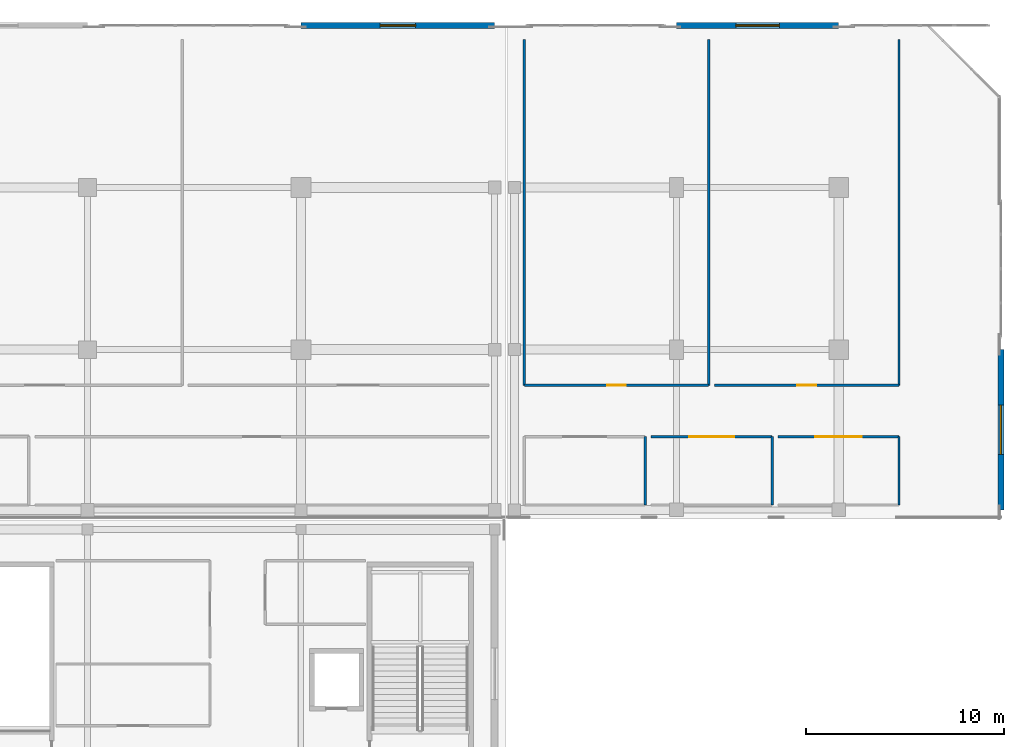
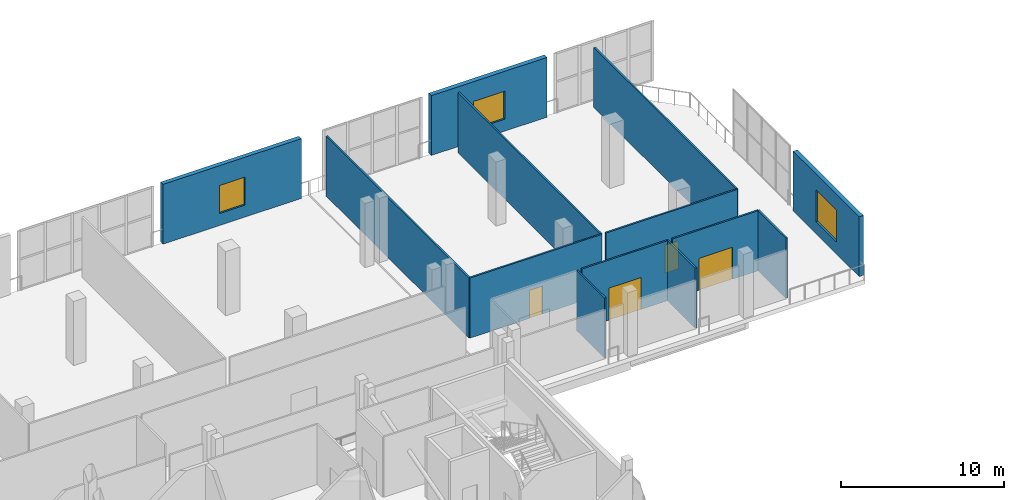
# One storey, part 88 of 129: 13 walls, 4 doors, 3 windows, 7 openings.
"""IFC4 building model written with IfcOpenShell, lengths in metres."""

import ifcopenshell
import ifcopenshell.guid

model = None  # the IFC model being written
_history = None  # IfcOwnerHistory: only IFC2X3 demands one
_inside = {}  # id of a spatial element -> (the spatial element, [elements in it])
_under = {}  # id of a project, library or spatial element -> (it, [spatial elements below it])
_declared = {}  # id of a project -> (the project, [libraries it declares])
_typed = {}  # id of a type object -> (the type object, [elements of that type])
_made_of = {}  # id of a material, layer set ... -> (it, [elements and type objects made of it])


def new_model(schema):
    """Start an empty IFC model of exactly this schema.

    Asked for "IFC4X3", IfcOpenShell would pick the latest addendum, in which some entities
    have other attributes; the version numbers below select the first issue.
    IFC2X3 requires an IfcOwnerHistory on every rooted entity: one is made here for all.
    """
    global model, _history
    if schema == "IFC4X3":
        model = ifcopenshell.file(schema_version=(4, 3, 0, 0))
    else:
        model = ifcopenshell.file(schema=schema)
    _inside.clear()
    _under.clear()
    _declared.clear()
    _typed.clear()
    _made_of.clear()
    _history = None
    if model.schema == "IFC2X3":
        org = make("IfcOrganization", Name="unknown")
        user = make(
            "IfcPersonAndOrganization",
            ThePerson=make("IfcPerson", FamilyName="unknown"),
            TheOrganization=org,
        )
        app = make(
            "IfcApplication",
            ApplicationDeveloper=org,
            Version="unknown",
            ApplicationFullName="unknown",
            ApplicationIdentifier="unknown",
        )
        _history = make(
            "IfcOwnerHistory",
            OwningUser=user,
            OwningApplication=app,
            ChangeAction="ADDED",
            CreationDate=0,
        )
    return model


def make(cls, **values):
    """One entity of the class cls with the attributes given. An attribute that is None is left unset."""
    return model.create_entity(
        cls, **{name: value for name, value in values.items() if value is not None}
    )


def rooted(cls, **values):
    """An entity with a GlobalId (a new one), such as an element, a storey or a relation."""
    return make(cls, GlobalId=ifcopenshell.guid.new(), OwnerHistory=_history, **values)


def si_unit(unit_type, name, prefix=None):
    """IfcSIUnit, for example si_unit("LENGTHUNIT", "METRE", prefix="MILLI")."""
    return make("IfcSIUnit", UnitType=unit_type, Prefix=prefix, Name=name)


def assignment(units):
    """IfcUnitAssignment: the units of a project."""
    return None if units is None else make("IfcUnitAssignment", Units=units)


def point(xyz):
    """IfcCartesianPoint."""
    return None if xyz is None else make("IfcCartesianPoint", Coordinates=xyz)


def direction(xyz):
    """IfcDirection."""
    return None if xyz is None else make("IfcDirection", DirectionRatios=xyz)


def frame(location, z_axis=None, x_axis=None):
    """IfcAxis2Placement3D, a coordinate frame: its origin and axes. An axis left out is left unset."""
    return make(
        "IfcAxis2Placement3D",
        Location=point(location),
        Axis=direction(z_axis),
        RefDirection=direction(x_axis),
    )


def frame_2d(location, x_axis=None):
    """IfcAxis2Placement2D, a coordinate frame in the plane: its origin and x axis."""
    return make(
        "IfcAxis2Placement2D", Location=point(location), RefDirection=direction(x_axis)
    )


def origin():
    """The frame at (0, 0, 0) with its axes left unset."""
    return frame((0.0, 0.0, 0.0))


def place(relative_to, where):
    """IfcLocalPlacement: puts the frame where relative to a parent placement (None: the world)."""
    return make(
        "IfcLocalPlacement", PlacementRelTo=relative_to, RelativePlacement=where
    )


def context(
    kind, dimensions, precision=None, world=None, true_north=None, identifier=None
):
    """IfcGeometricRepresentationContext, for example the 3D "Model" context."""
    return make(
        "IfcGeometricRepresentationContext",
        ContextIdentifier=identifier,
        ContextType=kind,
        CoordinateSpaceDimension=dimensions,
        Precision=precision,
        WorldCoordinateSystem=world,
        TrueNorth=true_north,
    )


def subcontext(parent, identifier, kind, view, scale=None):
    """IfcGeometricRepresentationSubContext, for example "Body" below "Model"."""
    return make(
        "IfcGeometricRepresentationSubContext",
        ContextIdentifier=identifier,
        ContextType=kind,
        ParentContext=parent,
        TargetScale=scale,
        TargetView=view,
    )


def project(units=None, contexts=None):
    """IfcProject with its units and contexts."""
    return rooted(
        "IfcProject",
        Name="project",
        RepresentationContexts=contexts,
        UnitsInContext=assignment(units),
    )


def spatial(cls, under=None, at=None, **own):
    """A site, building, storey or space (cls), placed at a placement, below another one or the project."""
    s = rooted(cls, ObjectPlacement=at, **own)
    if under is not None:
        _under.setdefault(under.id(), (under, []))[1].append(s)
    return s


def profile(cls, at=None, kind="AREA", **sizes):
    """A parametric profile (cls). Its sizes go by their IFC names, for example OverallWidth=200.0."""
    return make(cls, ProfileType=kind, Position=at, **sizes)


def rectangle(**sizes):
    """IfcRectangleProfileDef."""
    return profile("IfcRectangleProfileDef", **sizes)


def extrude(swept, where, along, depth):
    """IfcExtrudedAreaSolid: the profile swept, set in the frame where, extruded along a direction by depth."""
    return make(
        "IfcExtrudedAreaSolid",
        SweptArea=swept,
        Position=where,
        ExtrudedDirection=direction(along),
        Depth=depth,
    )


def shape(context_of_items, identifier, shape_type, items):
    """IfcShapeRepresentation: the items that make up one representation, for example the "Body"."""
    return make(
        "IfcShapeRepresentation",
        ContextOfItems=context_of_items,
        RepresentationIdentifier=identifier,
        RepresentationType=shape_type,
        Items=items,
    )


def material(Name=None, Category=None):
    """IfcMaterial."""
    return make("IfcMaterial", Name=Name, Category=Category)


def layer(
    of_material, thickness, ventilated=None, Name=None, Category=None, Priority=None
):
    """IfcMaterialLayer: one layer of a wall or slab, of a material (None: an air gap)."""
    return make(
        "IfcMaterialLayer",
        Material=of_material,
        LayerThickness=thickness,
        IsVentilated=ventilated,
        Name=Name,
        Category=Category,
        Priority=Priority,
    )


def layer_set(layers, Name=None):
    """IfcMaterialLayerSet."""
    return make("IfcMaterialLayerSet", MaterialLayers=layers, LayerSetName=Name)


def made_of(thing, what):
    """Note that an element or type object is made of a material, layer set ...; save() writes the relation."""
    if what is not None:
        _made_of.setdefault(what.id(), (what, []))[1].append(thing)
    return thing


def type_object(cls, material=None, **own):
    """A type object (cls), such as IfcWallType, which elements share."""
    return made_of(rooted(cls, **own), material)


def element(
    cls,
    number,
    at=None,
    inside=None,
    cuts=None,
    type_object=None,
    material=None,
    context=None,
    identifier="Body",
    shape_type=None,
    held_by="IfcProductDefinitionShape",
    body=None,
    shapes=None,
    **own,
):
    """One element of the class cls, such as IfcWall. Its Tag is "e" and its number.

    at: its placement. inside: the storey or other place that contains it. cuts: it is an
    opening in that element (IfcRelVoidsElement). A single representation is given by context,
    identifier, shape_type and body (its items); several are given by shapes. held_by: the class
    of the entity that holds the representations. save() writes the other relations.
    """
    e = rooted(cls, Tag="e%d" % number, ObjectPlacement=at, **own)
    if body is not None:
        shapes = [shape(context, identifier, shape_type, body)]
    if shapes is not None:
        e.Representation = make(held_by, Representations=shapes)
    if inside is not None:
        _inside.setdefault(inside.id(), (inside, []))[1].append(e)
    if cuts is not None:
        rooted(
            "IfcRelVoidsElement", RelatingBuildingElement=cuts, RelatedOpeningElement=e
        )
    if type_object is not None:
        _typed.setdefault(type_object.id(), (type_object, []))[1].append(e)
    return made_of(e, material)


def fill(opening, filler):
    """IfcRelFillsElement: the door or window that sits in an opening."""
    return rooted(
        "IfcRelFillsElement",
        RelatingOpeningElement=opening,
        RelatedBuildingElement=filler,
    )


def aggregate(whole, parts):
    """IfcRelAggregates: a whole, such as a stair, and the parts it consists of."""
    return rooted("IfcRelAggregates", RelatingObject=whole, RelatedObjects=parts)


def save(model, path):
    """Write the relations noted so far, then the file.

    IfcRelAggregates (storeys below a building ...), IfcRelContainedInSpatialStructure (elements
    in a storey), IfcRelDefinesByType, IfcRelAssociatesMaterial and IfcRelDeclares: one each for
    every whole, place, type object, material and project.
    """
    for whole, parts in _under.values():
        aggregate(whole, parts)
    for where, things in _inside.values():
        rooted(
            "IfcRelContainedInSpatialStructure",
            RelatedElements=things,
            RelatingStructure=where,
        )
    for kind, things in _typed.values():
        rooted("IfcRelDefinesByType", RelatedObjects=things, RelatingType=kind)
    for what, things in _made_of.values():
        rooted("IfcRelAssociatesMaterial", RelatedObjects=things, RelatingMaterial=what)
    for by, libraries in _declared.values():
        rooted("IfcRelDeclares", RelatingContext=by, RelatedDefinitions=libraries)
    model.write(path)


model = new_model("IFC4")

# Units and contexts
model_context = context("Model", 3, precision=1e-05, world=origin(), true_north=direction((0.0, 1.0)))
body_context = subcontext(model_context, "Body", "Model", "MODEL_VIEW")
ifc_project = project(units=[si_unit("LENGTHUNIT", "METRE"), si_unit("AREAUNIT", "SQUARE_METRE"), si_unit("VOLUMEUNIT", "CUBIC_METRE"), si_unit("PLANEANGLEUNIT", "RADIAN"), si_unit("MASSUNIT", "GRAM", prefix="KILO")], contexts=[model_context])

# Site, building, storey
site_placement = place(None, origin())
site = spatial("IfcSite", under=ifc_project, at=site_placement, CompositionType="ELEMENT")
building_placement = place(site_placement, origin())
building = spatial("IfcBuilding", under=site, at=building_placement, Name="Koshinbarg Plaza Stadium", CompositionType="ELEMENT")
storey_placement = place(building_placement, frame((0.0, 0.0, 5.39990234375)))
storey = spatial("IfcBuildingStorey", under=building, at=storey_placement, Name="L01", CompositionType="ELEMENT", Elevation=5.39990234375)

# Wall, opening, window
ifc_material_1 = material(Name="Off-white mineral plaster insulated wall", Category="masonry")
ifc_layer_1 = layer(ifc_material_1, 0.300048828125)
ifc_layer_set_1 = layer_set([ifc_layer_1], Name="Off-white mineral plaster insulated wall")
wall_type_1 = type_object("IfcWallType", Name="WL-EXT-300", PredefinedType="SOLIDWALL", material=ifc_layer_set_1)
wall_1_placement = place(storey_placement, frame((208.60009765625, 152.0, 0.0), z_axis=(0.0, 0.0, 1.0), x_axis=(1.0, 0.0, 0.0)))
wall_1 = element("IfcWall", 1, at=wall_1_placement, inside=storey, type_object=wall_type_1, Name="L01 exterior envelope wall EWL-L01-0089", PredefinedType="SOLIDWALL", context=body_context, shape_type="SweptSolid", body=[
    extrude(rectangle(XDim=9.7998046875, YDim=0.300048828125, at=frame_2d((4.89990234375, 0.0))), origin(), (0.0, 0.0, 1.0), 4.47998046875),
])
opening_1_placement = place(wall_1_placement, frame((4.0, 0.0, 0.89990234375)))
opening_1 = element("IfcOpeningElement", 2, at=opening_1_placement, cuts=wall_1, Name="Opening WN14", PredefinedType="OPENING", context=body_context, shape_type="SweptSolid", body=[
    extrude(rectangle(XDim=1.800048828125, YDim=2.10009765625, at=frame_2d((0.89990234375, 1.050048828125))), frame((0.0, 0.159912109375, 0.0), z_axis=(0.0, -1.0, 0.0), x_axis=(1.0, 0.0, 0.0)), (0.0, 0.0, 1.0), 0.320068359375),
])
ifc_material_2 = material(Name="Solar-control double glazing in thermally broken aluminium frame", Category="aluminium")
window_type_1 = type_object("IfcWindowType", Name="WN-FAC-14", PartitioningType="DOUBLE_PANEL_VERTICAL", PredefinedType="WINDOW", material=ifc_material_2)
window_1_placement = place(opening_1_placement, origin())
window_1 = element("IfcWindow", 3, at=window_1_placement, inside=storey, type_object=window_type_1, Name="L01 facade window 0030", OverallHeight=2.10009765625, OverallWidth=1.800048828125, PartitioningType="SINGLE_PANEL", PredefinedType="WINDOW", context=body_context, shape_type="SweptSolid", body=[
    extrude(rectangle(XDim=1.800048828125, YDim=2.10009765625, at=frame_2d((0.89990234375, 1.050048828125))), frame((0.0, 0.030029296875, 0.0), z_axis=(0.0, -1.0, 0.0), x_axis=(1.0, 0.0, 0.0)), (0.0, 0.0, 1.0), 0.06005859375),
])
fill(opening_1, window_1)

wall_2_placement = place(storey_placement, frame((244.0, 135.60009765625, 0.0), z_axis=(0.0, 0.0, 1.0), x_axis=(0.0, -1.0, 0.0)))
wall_2 = element("IfcWall", 4, at=wall_2_placement, inside=storey, type_object=wall_type_1, Name="L01 exterior envelope wall EWL-L01-0097", PredefinedType="SOLIDWALL", context=body_context, shape_type="SweptSolid", body=[
    extrude(rectangle(XDim=8.10009765625, YDim=0.300048828125, at=frame_2d((4.050048828125, 0.0))), origin(), (0.0, 0.0, 1.0), 4.47998046875),
])
opening_2_placement = place(wall_2_placement, frame((2.800048828125, 0.0, 0.89990234375)))
opening_2 = element("IfcOpeningElement", 5, at=opening_2_placement, cuts=wall_2, Name="Opening WN21", PredefinedType="OPENING", context=body_context, shape_type="SweptSolid", body=[
    extrude(rectangle(XDim=2.5, YDim=2.39990234375, at=frame_2d((1.25, 1.199951171875))), frame((0.0, 0.159912109375, 0.0), z_axis=(0.0, -1.0, 0.0), x_axis=(1.0, 0.0, 0.0)), (0.0, 0.0, 1.0), 0.320068359375),
])
window_type_2 = type_object("IfcWindowType", Name="WN-FAC-21", PartitioningType="DOUBLE_PANEL_VERTICAL", PredefinedType="WINDOW", material=ifc_material_2)
window_2_placement = place(opening_2_placement, origin())
window_2 = element("IfcWindow", 6, at=window_2_placement, inside=storey, type_object=window_type_2, Name="L01 facade window 0037", OverallHeight=2.39990234375, OverallWidth=2.5, PartitioningType="SINGLE_PANEL", PredefinedType="WINDOW", context=body_context, shape_type="SweptSolid", body=[
    extrude(rectangle(XDim=2.5, YDim=2.39990234375, at=frame_2d((1.25, 1.199951171875))), frame((0.0, 0.030029296875, 0.0), z_axis=(0.0, -1.0, 0.0), x_axis=(1.0, 0.0, 0.0)), (0.0, 0.0, 1.0), 0.06005859375),
])
fill(opening_2, window_2)

ifc_material_3 = material(Name="Ultramarine-blue pigmented mineral plaster facade wall", Category="masonry")
ifc_layer_2 = layer(ifc_material_3, 0.320068359375)
ifc_layer_set_2 = layer_set([ifc_layer_2], Name="Ultramarine-blue pigmented mineral plaster facade wall")
wall_type_2 = type_object("IfcWallType", Name="WL-EXT-320", PredefinedType="SOLIDWALL", material=ifc_layer_set_2)
wall_3_placement = place(storey_placement, frame((227.60009765625, 152.0, 0.0), z_axis=(0.0, 0.0, 1.0), x_axis=(1.0, 0.0, 0.0)))
wall_3 = element("IfcWall", 7, at=wall_3_placement, inside=storey, type_object=wall_type_2, Name="L01 exterior envelope wall EWL-L01-0090", PredefinedType="SOLIDWALL", context=body_context, shape_type="SweptSolid", body=[
    extrude(rectangle(XDim=8.199951171875, YDim=0.320068359375, at=frame_2d((4.10009765625, 0.0))), origin(), (0.0, 0.0, 1.0), 4.47998046875),
])
opening_3_placement = place(wall_3_placement, frame((3.0, 0.0, 0.89990234375)))
opening_3 = element("IfcOpeningElement", 8, at=opening_3_placement, cuts=wall_3, Name="Opening WN15", PredefinedType="OPENING", context=body_context, shape_type="SweptSolid", body=[
    extrude(rectangle(XDim=2.199951171875, YDim=2.10009765625, at=frame_2d((1.10009765625, 1.050048828125))), frame((0.0, 0.169921875, 0.0), z_axis=(0.0, -1.0, 0.0), x_axis=(1.0, 0.0, 0.0)), (0.0, 0.0, 1.0), 0.340087890625),
])
window_type_3 = type_object("IfcWindowType", Name="WN-FAC-15", PartitioningType="DOUBLE_PANEL_VERTICAL", PredefinedType="WINDOW", material=ifc_material_2)
window_3_placement = place(opening_3_placement, origin())
window_3 = element("IfcWindow", 9, at=window_3_placement, inside=storey, type_object=window_type_3, Name="L01 facade window 0031", OverallHeight=2.10009765625, OverallWidth=2.199951171875, PartitioningType="SINGLE_PANEL", PredefinedType="WINDOW", context=body_context, shape_type="SweptSolid", body=[
    extrude(rectangle(XDim=2.199951171875, YDim=2.10009765625, at=frame_2d((1.10009765625, 1.050048828125))), frame((0.0, 0.030029296875, 0.0), z_axis=(0.0, -1.0, 0.0), x_axis=(1.0, 0.0, 0.0)), (0.0, 0.0, 1.0), 0.06005859375),
])
fill(opening_3, window_3)

# Walls
ifc_material_4 = material(Name="Gypsum board metal-stud acoustic partition")
ifc_layer_3 = layer(ifc_material_4, 0.1201171875)
ifc_layer_set_3 = layer_set([ifc_layer_3], Name="Gypsum board metal-stud acoustic partition")
wall_type_3 = type_object("IfcWallType", Name="WL-PART-120", PredefinedType="PARTITIONING", material=ifc_layer_set_3)
for number, where, z_axis, x_axis, name in (
    (10, (226.01318359375, 127.7451171875, 0.0), (0.0, 0.0, 1.0), (0.0, 1.0, 0.0), "L01 interior partition L01-135-east IWL-L01-1502"),
    (11, (232.431640625, 127.7451171875, 0.0), (0.0, 0.0, 1.0), (0.0, 1.0, 0.0), "L01 interior partition L01-136-east IWL-L01-1506"),
):
    element("IfcWall", number, at=place(storey_placement, frame(where, z_axis=z_axis, x_axis=x_axis)), inside=storey, type_object=wall_type_3, Name=name, PredefinedType="PARTITIONING", context=body_context, shape_type="SweptSolid", body=[
        extrude(rectangle(XDim=3.454833984375, YDim=0.1201171875, at=frame_2d((1.7275390625, 0.0))), origin(), (0.0, 0.0, 1.0), 4.5),
    ])

# Wall, opening, door
wall_4_placement = place(storey_placement, frame((232.431640625, 131.199951171875, 0.0), z_axis=(0.0, 0.0, 1.0), x_axis=(-1.0, 0.0, 0.0)))
wall_4 = element("IfcWall", 12, at=wall_4_placement, inside=storey, type_object=wall_type_3, Name="L01 interior partition L01-136-north IWL-L01-1507", PredefinedType="PARTITIONING", context=body_context, shape_type="SweptSolid", body=[
    extrude(rectangle(XDim=6.118408203125, YDim=0.1201171875, at=frame_2d((3.05908203125, 0.0))), origin(), (0.0, 0.0, 1.0), 4.5),
])
opening_4_placement = place(wall_4_placement, frame((1.919189453125, 0.0, 0.0)))
opening_4 = element("IfcOpeningElement", 13, at=opening_4_placement, cuts=wall_4, Name="Opening D-0502", PredefinedType="OPENING", context=body_context, shape_type="SweptSolid", body=[
    extrude(rectangle(XDim=2.280029296875, YDim=2.39990234375, at=frame_2d((1.14013671875, 1.199951171875))), frame((0.0, 0.070068359375, 0.0), z_axis=(0.0, -1.0, 0.0), x_axis=(1.0, 0.0, 0.0)), (0.0, 0.0, 1.0), 0.14013671875),
])
ifc_material_5 = material(Name="Anodised aluminium and laminated glass portal door", Category="aluminium")
door_type_1 = type_object("IfcDoorType", Name="DR-INT-2280x2400", OperationType="NOTDEFINED", PredefinedType="DOOR", material=ifc_material_5)
door_1_placement = place(opening_4_placement, origin())
door_1 = element("IfcDoor", 14, at=door_1_placement, inside=storey, type_object=door_type_1, Name="L01 North Concourse Promenade door D-0502", OperationType="DOUBLE_DOOR_SINGLE_SWING", OverallHeight=2.39990234375, OverallWidth=2.280029296875, PredefinedType="DOOR", context=body_context, shape_type="SweptSolid", body=[
    extrude(rectangle(XDim=2.280029296875, YDim=2.39990234375, at=frame_2d((1.14013671875, 1.199951171875))), frame((0.0, 0.02490234375, 0.0), z_axis=(0.0, -1.0, 0.0), x_axis=(1.0, 0.0, 0.0)), (0.0, 0.0, 1.0), 0.050048828125),
])
fill(opening_4, door_1)

# Wall
wall_5_placement = place(storey_placement, frame((238.85009765625, 127.7451171875, 0.0), z_axis=(0.0, 0.0, 1.0), x_axis=(0.0, 1.0, 0.0)))
element("IfcWall", 15, at=wall_5_placement, inside=storey, type_object=wall_type_3, Name="L01 interior partition L01-137-east IWL-L01-1509", PredefinedType="PARTITIONING", context=body_context, shape_type="SweptSolid", body=[
    extrude(rectangle(XDim=3.454833984375, YDim=0.1201171875, at=frame_2d((1.7275390625, 0.0))), origin(), (0.0, 0.0, 1.0), 4.5),
])

# Wall, opening, door
wall_6_placement = place(storey_placement, frame((238.85009765625, 131.199951171875, 0.0), z_axis=(0.0, 0.0, 1.0), x_axis=(-1.0, 0.0, 0.0)))
wall_6 = element("IfcWall", 16, at=wall_6_placement, inside=storey, type_object=wall_type_3, Name="L01 interior partition L01-137-north IWL-L01-1510", PredefinedType="PARTITIONING", context=body_context, shape_type="SweptSolid", body=[
    extrude(rectangle(XDim=6.118408203125, YDim=0.1201171875, at=frame_2d((3.05908203125, 0.0))), origin(), (0.0, 0.0, 1.0), 4.5),
])
opening_5_placement = place(wall_6_placement, frame((1.879150390625, 0.0, 0.0)))
opening_5 = element("IfcOpeningElement", 17, at=opening_5_placement, cuts=wall_6, Name="Opening D-0503", PredefinedType="OPENING", context=body_context, shape_type="SweptSolid", body=[
    extrude(rectangle(XDim=2.360107421875, YDim=2.39990234375, at=frame_2d((1.18017578125, 1.199951171875))), frame((0.0, 0.070068359375, 0.0), z_axis=(0.0, -1.0, 0.0), x_axis=(1.0, 0.0, 0.0)), (0.0, 0.0, 1.0), 0.14013671875),
])
ifc_material_6 = material(Name="Powder-coated steel and tempered glass double door", Category="steel")
door_type_2 = type_object("IfcDoorType", Name="DR-INT-2360x2400", OperationType="NOTDEFINED", PredefinedType="DOOR", material=ifc_material_6)
door_2_placement = place(opening_5_placement, origin())
door_2 = element("IfcDoor", 18, at=door_2_placement, inside=storey, type_object=door_type_2, Name="L01 Interactive Football Exhibition Hall door D-0503", OperationType="DOUBLE_DOOR_SINGLE_SWING", OverallHeight=2.39990234375, OverallWidth=2.360107421875, PredefinedType="DOOR", context=body_context, shape_type="SweptSolid", body=[
    extrude(rectangle(XDim=2.360107421875, YDim=2.39990234375, at=frame_2d((1.18017578125, 1.199951171875))), frame((0.0, 0.02490234375, 0.0), z_axis=(0.0, -1.0, 0.0), x_axis=(1.0, 0.0, 0.0)), (0.0, 0.0, 1.0), 0.050048828125),
])
fill(opening_5, door_2)

wall_7_placement = place(storey_placement, frame((219.89501953125, 133.800048828125, 0.0), z_axis=(0.0, 0.0, 1.0), x_axis=(1.0, 0.0, 0.0)))
wall_7 = element("IfcWall", 19, at=wall_7_placement, inside=storey, type_object=wall_type_3, Name="L01 interior partition L01-138-south IWL-L01-1511", PredefinedType="PARTITIONING", context=body_context, shape_type="SweptSolid", body=[
    extrude(rectangle(XDim=9.327392578125, YDim=0.1201171875, at=frame_2d((4.66357421875, 0.0))), origin(), (0.0, 0.0, 1.0), 4.5),
])
opening_6_placement = place(wall_7_placement, frame((4.20361328125, 0.0, 0.0)))
opening_6 = element("IfcOpeningElement", 20, at=opening_6_placement, cuts=wall_7, Name="Opening D-0504", PredefinedType="OPENING", context=body_context, shape_type="SweptSolid", body=[
    extrude(rectangle(XDim=0.919921875, YDim=2.10009765625, at=frame_2d((0.4599609375, 1.050048828125))), frame((0.0, 0.070068359375, 0.0), z_axis=(0.0, -1.0, 0.0), x_axis=(1.0, 0.0, 0.0)), (0.0, 0.0, 1.0), 0.14013671875),
])
ifc_material_7 = material(Name="Solid-core oak veneer acoustic door")
door_type_3 = type_object("IfcDoorType", Name="DR-INT-0920x2100", OperationType="NOTDEFINED", PredefinedType="DOOR", material=ifc_material_7)
door_3_placement = place(opening_6_placement, origin())
door_3 = element("IfcDoor", 21, at=door_3_placement, inside=storey, type_object=door_type_3, Name="L01 North Concourse Promenade door D-0504", OperationType="SINGLE_SWING_RIGHT", OverallHeight=2.10009765625, OverallWidth=0.919921875, PredefinedType="DOOR", context=body_context, shape_type="SweptSolid", body=[
    extrude(rectangle(XDim=0.919921875, YDim=2.10009765625, at=frame_2d((0.4599609375, 1.050048828125))), frame((0.0, 0.02490234375, 0.0), z_axis=(0.0, -1.0, 0.0), x_axis=(1.0, 0.0, 0.0)), (0.0, 0.0, 1.0), 0.050048828125),
])
fill(opening_6, door_3)

# Walls
for number, where, z_axis, x_axis, name in (
    (22, (229.222412109375, 133.800048828125, 0.0), (0.0, 0.0, 1.0), (0.0, 1.0, 0.0), "L01 interior partition L01-138-east IWL-L01-1512"),
    (23, (219.89501953125, 151.300048828125, 0.0), (0.0, 0.0, 1.0), (0.0, -1.0, 0.0), "L01 interior partition L01-138-west IWL-L01-1513"),
):
    element("IfcWall", number, at=place(storey_placement, frame(where, z_axis=z_axis, x_axis=x_axis)), inside=storey, type_object=wall_type_3, Name=name, PredefinedType="PARTITIONING", context=body_context, shape_type="SweptSolid", body=[
        extrude(rectangle(XDim=17.5, YDim=0.1201171875, at=frame_2d((8.75, 0.0))), origin(), (0.0, 0.0, 1.0), 4.5),
    ])

# Wall, opening, door
wall_8_placement = place(storey_placement, frame((229.5224609375, 133.800048828125, 0.0), z_axis=(0.0, 0.0, 1.0), x_axis=(1.0, 0.0, 0.0)))
wall_8 = element("IfcWall", 24, at=wall_8_placement, inside=storey, type_object=wall_type_3, Name="L01 interior partition L01-139-south IWL-L01-1514", PredefinedType="PARTITIONING", context=body_context, shape_type="SweptSolid", body=[
    extrude(rectangle(XDim=9.32763671875, YDim=0.1201171875, at=frame_2d((4.663818359375, 0.0))), origin(), (0.0, 0.0, 1.0), 4.5),
])
opening_7_placement = place(wall_8_placement, frame((4.18359375, 0.0, 0.0)))
opening_7 = element("IfcOpeningElement", 25, at=opening_7_placement, cuts=wall_8, Name="Opening D-0505", PredefinedType="OPENING", context=body_context, shape_type="SweptSolid", body=[
    extrude(rectangle(XDim=0.9599609375, YDim=2.10009765625, at=frame_2d((0.47998046875, 1.050048828125))), frame((0.0, 0.070068359375, 0.0), z_axis=(0.0, -1.0, 0.0), x_axis=(1.0, 0.0, 0.0)), (0.0, 0.0, 1.0), 0.14013671875),
])
door_type_4 = type_object("IfcDoorType", Name="DR-INT-0960x2100", OperationType="NOTDEFINED", PredefinedType="DOOR", material=ifc_material_7)
door_4_placement = place(opening_7_placement, origin())
door_4 = element("IfcDoor", 26, at=door_4_placement, inside=storey, type_object=door_type_4, Name="L01 Interactive Football Exhibition Hall door D-0505", OperationType="SINGLE_SWING_LEFT", OverallHeight=2.10009765625, OverallWidth=0.9599609375, PredefinedType="DOOR", context=body_context, shape_type="SweptSolid", body=[
    extrude(rectangle(XDim=0.9599609375, YDim=2.10009765625, at=frame_2d((0.47998046875, 1.050048828125))), frame((0.0, 0.02490234375, 0.0), z_axis=(0.0, -1.0, 0.0), x_axis=(1.0, 0.0, 0.0)), (0.0, 0.0, 1.0), 0.050048828125),
])
fill(opening_7, door_4)

# Wall
wall_9_placement = place(storey_placement, frame((238.85009765625, 133.800048828125, 0.0), z_axis=(0.0, 0.0, 1.0), x_axis=(0.0, 1.0, 0.0)))
element("IfcWall", 27, at=wall_9_placement, inside=storey, type_object=wall_type_3, Name="L01 interior partition L01-139-east IWL-L01-1515", PredefinedType="PARTITIONING", context=body_context, shape_type="SweptSolid", body=[
    extrude(rectangle(XDim=17.5, YDim=0.1201171875, at=frame_2d((8.75, 0.0))), origin(), (0.0, 0.0, 1.0), 4.5),
])

save(model, "model.ifc")
